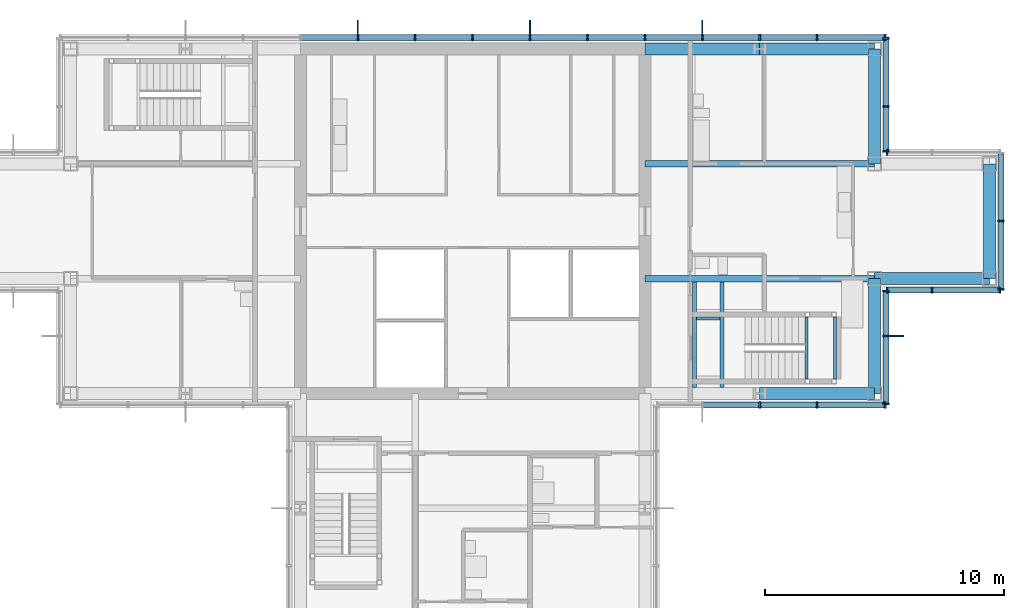
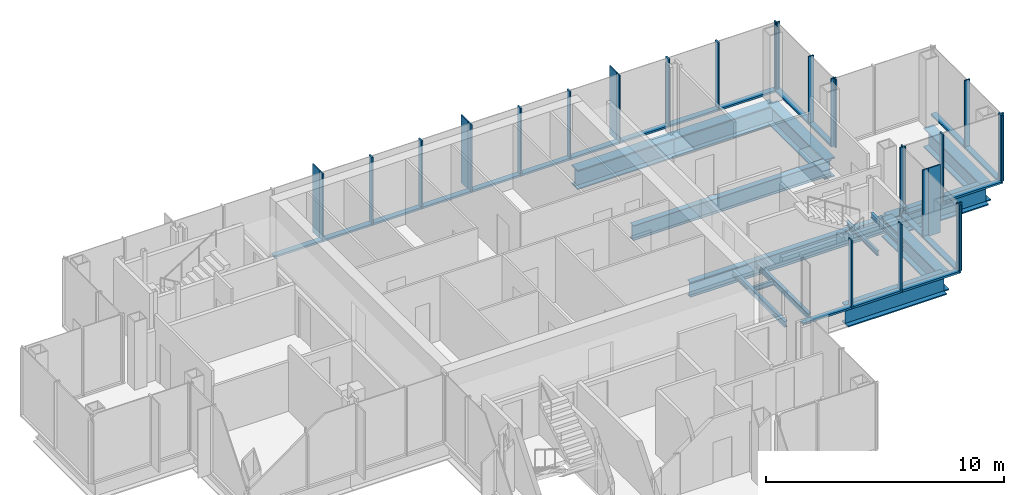
# One storey, part 7 of 15: 50 members, 14 beams, 7 elements without a shape of their own.
"""IFC4 building model written with IfcOpenShell, lengths in metres."""

import ifcopenshell
import ifcopenshell.guid

model = None  # the IFC model being written
_history = None  # IfcOwnerHistory: only IFC2X3 demands one
_inside = {}  # id of a spatial element -> (the spatial element, [elements in it])
_under = {}  # id of a project, library or spatial element -> (it, [spatial elements below it])
_declared = {}  # id of a project -> (the project, [libraries it declares])
_typed = {}  # id of a type object -> (the type object, [elements of that type])
_made_of = {}  # id of a material, layer set ... -> (it, [elements and type objects made of it])


def new_model(schema):
    """Start an empty IFC model of exactly this schema.

    Asked for "IFC4X3", IfcOpenShell would pick the latest addendum, in which some entities
    have other attributes; the version numbers below select the first issue.
    IFC2X3 requires an IfcOwnerHistory on every rooted entity: one is made here for all.
    """
    global model, _history
    if schema == "IFC4X3":
        model = ifcopenshell.file(schema_version=(4, 3, 0, 0))
    else:
        model = ifcopenshell.file(schema=schema)
    _inside.clear()
    _under.clear()
    _declared.clear()
    _typed.clear()
    _made_of.clear()
    _history = None
    if model.schema == "IFC2X3":
        org = make("IfcOrganization", Name="unknown")
        user = make(
            "IfcPersonAndOrganization",
            ThePerson=make("IfcPerson", FamilyName="unknown"),
            TheOrganization=org,
        )
        app = make(
            "IfcApplication",
            ApplicationDeveloper=org,
            Version="unknown",
            ApplicationFullName="unknown",
            ApplicationIdentifier="unknown",
        )
        _history = make(
            "IfcOwnerHistory",
            OwningUser=user,
            OwningApplication=app,
            ChangeAction="ADDED",
            CreationDate=0,
        )
    return model


def make(cls, **values):
    """One entity of the class cls with the attributes given. An attribute that is None is left unset."""
    return model.create_entity(
        cls, **{name: value for name, value in values.items() if value is not None}
    )


def rooted(cls, **values):
    """An entity with a GlobalId (a new one), such as an element, a storey or a relation."""
    return make(cls, GlobalId=ifcopenshell.guid.new(), OwnerHistory=_history, **values)


def si_unit(unit_type, name, prefix=None):
    """IfcSIUnit, for example si_unit("LENGTHUNIT", "METRE", prefix="MILLI")."""
    return make("IfcSIUnit", UnitType=unit_type, Prefix=prefix, Name=name)


def assignment(units):
    """IfcUnitAssignment: the units of a project."""
    return None if units is None else make("IfcUnitAssignment", Units=units)


def point(xyz):
    """IfcCartesianPoint."""
    return None if xyz is None else make("IfcCartesianPoint", Coordinates=xyz)


def direction(xyz):
    """IfcDirection."""
    return None if xyz is None else make("IfcDirection", DirectionRatios=xyz)


def frame(location, z_axis=None, x_axis=None):
    """IfcAxis2Placement3D, a coordinate frame: its origin and axes. An axis left out is left unset."""
    return make(
        "IfcAxis2Placement3D",
        Location=point(location),
        Axis=direction(z_axis),
        RefDirection=direction(x_axis),
    )


def frame_2d(location, x_axis=None):
    """IfcAxis2Placement2D, a coordinate frame in the plane: its origin and x axis."""
    return make(
        "IfcAxis2Placement2D", Location=point(location), RefDirection=direction(x_axis)
    )


def origin():
    """The frame at (0, 0, 0) with its axes left unset."""
    return frame((0.0, 0.0, 0.0))


def origin_2d():
    """The frame at (0, 0) in the plane with its x axis left unset."""
    return frame_2d((0.0, 0.0))


def place(relative_to, where):
    """IfcLocalPlacement: puts the frame where relative to a parent placement (None: the world)."""
    return make(
        "IfcLocalPlacement", PlacementRelTo=relative_to, RelativePlacement=where
    )


def context(
    kind, dimensions, precision=None, world=None, true_north=None, identifier=None
):
    """IfcGeometricRepresentationContext, for example the 3D "Model" context."""
    return make(
        "IfcGeometricRepresentationContext",
        ContextIdentifier=identifier,
        ContextType=kind,
        CoordinateSpaceDimension=dimensions,
        Precision=precision,
        WorldCoordinateSystem=world,
        TrueNorth=true_north,
    )


def subcontext(parent, identifier, kind, view, scale=None):
    """IfcGeometricRepresentationSubContext, for example "Body" below "Model"."""
    return make(
        "IfcGeometricRepresentationSubContext",
        ContextIdentifier=identifier,
        ContextType=kind,
        ParentContext=parent,
        TargetScale=scale,
        TargetView=view,
    )


def project(units=None, contexts=None):
    """IfcProject with its units and contexts."""
    return rooted(
        "IfcProject",
        Name="project",
        RepresentationContexts=contexts,
        UnitsInContext=assignment(units),
    )


def spatial(cls, under=None, at=None, **own):
    """A site, building, storey or space (cls), placed at a placement, below another one or the project."""
    s = rooted(cls, ObjectPlacement=at, **own)
    if under is not None:
        _under.setdefault(under.id(), (under, []))[1].append(s)
    return s


def profile(cls, at=None, kind="AREA", **sizes):
    """A parametric profile (cls). Its sizes go by their IFC names, for example OverallWidth=200.0."""
    return make(cls, ProfileType=kind, Position=at, **sizes)


def rectangle(**sizes):
    """IfcRectangleProfileDef."""
    return profile("IfcRectangleProfileDef", **sizes)


def i_section(**sizes):
    """IfcIShapeProfileDef."""
    return profile("IfcIShapeProfileDef", **sizes)


def extrude(swept, where, along, depth):
    """IfcExtrudedAreaSolid: the profile swept, set in the frame where, extruded along a direction by depth."""
    return make(
        "IfcExtrudedAreaSolid",
        SweptArea=swept,
        Position=where,
        ExtrudedDirection=direction(along),
        Depth=depth,
    )


def shape(context_of_items, identifier, shape_type, items):
    """IfcShapeRepresentation: the items that make up one representation, for example the "Body"."""
    return make(
        "IfcShapeRepresentation",
        ContextOfItems=context_of_items,
        RepresentationIdentifier=identifier,
        RepresentationType=shape_type,
        Items=items,
    )


def material(Name=None, Category=None):
    """IfcMaterial."""
    return make("IfcMaterial", Name=Name, Category=Category)


def material_profile(
    of_material, cross_section, Name=None, Category=None, Priority=None
):
    """IfcMaterialProfile: a cross section and its material."""
    return make(
        "IfcMaterialProfile",
        Name=Name,
        Material=of_material,
        Profile=cross_section,
        Priority=Priority,
        Category=Category,
    )


def profile_set(profiles, Name=None, composite=None):
    """IfcMaterialProfileSet."""
    return make(
        "IfcMaterialProfileSet",
        Name=Name,
        MaterialProfiles=profiles,
        CompositeProfile=composite,
    )


def made_of(thing, what):
    """Note that an element or type object is made of a material, layer set ...; save() writes the relation."""
    if what is not None:
        _made_of.setdefault(what.id(), (what, []))[1].append(thing)
    return thing


def type_object(cls, material=None, **own):
    """A type object (cls), such as IfcWallType, which elements share."""
    return made_of(rooted(cls, **own), material)


def element(
    cls,
    number,
    at=None,
    inside=None,
    cuts=None,
    type_object=None,
    material=None,
    context=None,
    identifier="Body",
    shape_type=None,
    held_by="IfcProductDefinitionShape",
    body=None,
    shapes=None,
    **own,
):
    """One element of the class cls, such as IfcWall. Its Tag is "e" and its number.

    at: its placement. inside: the storey or other place that contains it. cuts: it is an
    opening in that element (IfcRelVoidsElement). A single representation is given by context,
    identifier, shape_type and body (its items); several are given by shapes. held_by: the class
    of the entity that holds the representations. save() writes the other relations.
    """
    e = rooted(cls, Tag="e%d" % number, ObjectPlacement=at, **own)
    if body is not None:
        shapes = [shape(context, identifier, shape_type, body)]
    if shapes is not None:
        e.Representation = make(held_by, Representations=shapes)
    if inside is not None:
        _inside.setdefault(inside.id(), (inside, []))[1].append(e)
    if cuts is not None:
        rooted(
            "IfcRelVoidsElement", RelatingBuildingElement=cuts, RelatedOpeningElement=e
        )
    if type_object is not None:
        _typed.setdefault(type_object.id(), (type_object, []))[1].append(e)
    return made_of(e, material)


def aggregate(whole, parts):
    """IfcRelAggregates: a whole, such as a stair, and the parts it consists of."""
    return rooted("IfcRelAggregates", RelatingObject=whole, RelatedObjects=parts)


def save(model, path):
    """Write the relations noted so far, then the file.

    IfcRelAggregates (storeys below a building ...), IfcRelContainedInSpatialStructure (elements
    in a storey), IfcRelDefinesByType, IfcRelAssociatesMaterial and IfcRelDeclares: one each for
    every whole, place, type object, material and project.
    """
    for whole, parts in _under.values():
        aggregate(whole, parts)
    for where, things in _inside.values():
        rooted(
            "IfcRelContainedInSpatialStructure",
            RelatedElements=things,
            RelatingStructure=where,
        )
    for kind, things in _typed.values():
        rooted("IfcRelDefinesByType", RelatedObjects=things, RelatingType=kind)
    for what, things in _made_of.values():
        rooted("IfcRelAssociatesMaterial", RelatedObjects=things, RelatingMaterial=what)
    for by, libraries in _declared.values():
        rooted("IfcRelDeclares", RelatingContext=by, RelatedDefinitions=libraries)
    model.write(path)


model = new_model("IFC4")

# Units and contexts
model_context = context("Model", 3, precision=1e-05, world=origin(), true_north=direction((0.0, 1.0)))
body_context = subcontext(model_context, "Body", "Model", "MODEL_VIEW")
ifc_project = project(units=[si_unit("LENGTHUNIT", "METRE"), si_unit("AREAUNIT", "SQUARE_METRE"), si_unit("VOLUMEUNIT", "CUBIC_METRE"), si_unit("PLANEANGLEUNIT", "RADIAN"), si_unit("MASSUNIT", "GRAM", prefix="KILO")], contexts=[model_context])

# Site, building, storey
site_placement = place(None, origin())
site = spatial("IfcSite", under=ifc_project, at=site_placement, CompositionType="ELEMENT")
building_placement = place(site_placement, origin())
building = spatial("IfcBuilding", under=site, at=building_placement, Name="Kvirike Care Tower", CompositionType="ELEMENT")
storey_placement = place(building_placement, frame((0.0, 0.0, 236.5)))
storey = spatial("IfcBuildingStorey", under=building, at=storey_placement, Name="L65", CompositionType="ELEMENT", Elevation=236.5)

# Curtain wall, member
ifc_material_1 = material(Name="Anodised aluminium stick system", Category="aluminium")
curtain_wall_type = type_object("IfcCurtainWallType", Name="CW-D STICK CURTAIN WALL", PredefinedType="NOTDEFINED", material=ifc_material_1)
curtain_wall_1_placement = place(storey_placement, origin())
curtain_wall_1 = element("IfcCurtainWall", 1, at=curtain_wall_1_placement, inside=storey, type_object=curtain_wall_type, Name="Curtain wall L65 face 2", PredefinedType="NOTDEFINED")
ifc_material_2 = material(Name="Bronze anodised aluminium fin", Category="aluminium")
ifc_material_profile_1 = material_profile(ifc_material_2, rectangle(XDim=0.050048828125, YDim=0.60009765625, at=origin_2d()), Name="BRONZE FIN 600")
ifc_profile_set_1 = profile_set([ifc_material_profile_1], Name="Bronze anodised aluminium fin")
member_type_1 = type_object("IfcMemberType", Name="BRONZE FIN 600", PredefinedType="USERDEFINED", material=ifc_profile_set_1)
member_1_placement = place(storey_placement, frame((39.31005859375, 31.199951171875, 0.0), z_axis=(0.0, 0.0, 1.0), x_axis=(0.0, 1.0, 0.0)))
member_1 = element("IfcMember", 2, at=member_1_placement, type_object=member_type_1, Name="Bronze fin L65 face 2.2", ObjectType="FIN", PredefinedType="USERDEFINED", context=body_context, shape_type="SweptSolid", body=[
    extrude(rectangle(XDim=0.050048828125, YDim=0.60009765625, at=origin_2d()), origin(), (0.0, 0.0, 1.0), 3.5),
])

# Curtain wall, members
curtain_wall_2_placement = place(storey_placement, origin())
curtain_wall_2 = element("IfcCurtainWall", 3, at=curtain_wall_2_placement, inside=storey, type_object=curtain_wall_type, Name="Curtain wall L65 face 7", PredefinedType="NOTDEFINED")
member_2_placement = place(storey_placement, frame((31.199951171875, 44.110107421875, 0.0), z_axis=(0.0, 0.0, 1.0), x_axis=(-1.0, 0.0, 0.0)))
member_2 = element("IfcMember", 4, at=member_2_placement, type_object=member_type_1, Name="Bronze fin L65 face 7.4", ObjectType="FIN", PredefinedType="USERDEFINED", context=body_context, shape_type="SweptSolid", body=[
    extrude(rectangle(XDim=0.050048828125, YDim=0.60009765625, at=origin_2d()), origin(), (0.0, 0.0, 1.0), 3.5),
])
member_3_placement = place(storey_placement, frame((24.0, 44.110107421875, 0.0), z_axis=(0.0, 0.0, 1.0), x_axis=(-1.0, 0.0, 0.0)))
member_3 = element("IfcMember", 5, at=member_3_placement, type_object=member_type_1, Name="Bronze fin L65 face 7.7", ObjectType="FIN", PredefinedType="USERDEFINED", context=body_context, shape_type="SweptSolid", body=[
    extrude(rectangle(XDim=0.050048828125, YDim=0.60009765625, at=origin_2d()), origin(), (0.0, 0.0, 1.0), 3.5),
])
member_4_placement = place(storey_placement, frame((16.800048828125, 44.110107421875, 0.0), z_axis=(0.0, 0.0, 1.0), x_axis=(-1.0, 0.0, 0.0)))
member_4 = element("IfcMember", 6, at=member_4_placement, type_object=member_type_1, Name="Bronze fin L65 face 7.10", ObjectType="FIN", PredefinedType="USERDEFINED", context=body_context, shape_type="SweptSolid", body=[
    extrude(rectangle(XDim=0.050048828125, YDim=0.60009765625, at=origin_2d()), origin(), (0.0, 0.0, 1.0), 3.5),
])

curtain_wall_3_placement = place(storey_placement, origin())
curtain_wall_3 = element("IfcCurtainWall", 7, at=curtain_wall_3_placement, inside=storey, type_object=curtain_wall_type, Name="Curtain wall L65 face 1", PredefinedType="NOTDEFINED")
ifc_material_3 = material(Name="Bronze anodised aluminium mullion", Category="aluminium")
ifc_material_profile_2 = material_profile(ifc_material_3, rectangle(XDim=0.06494140625, YDim=0.260009765625, at=origin_2d()), Name="CW-D MULLION 65x260")
ifc_profile_set_2 = profile_set([ifc_material_profile_2], Name="Bronze anodised aluminium mullion")
member_type_2 = type_object("IfcMemberType", Name="CW-D MULLION 65x260", PredefinedType="MULLION", material=ifc_profile_set_2)
member_5_placement = place(storey_placement, frame((33.60009765625, 28.320068359375, 0.0), z_axis=(0.0, 0.0, 1.0), x_axis=(1.0, 0.0, 0.0)))
member_5 = element("IfcMember", 8, at=member_5_placement, type_object=member_type_2, Name="CW-D mullion L65 face 1.3", PredefinedType="MULLION", context=body_context, shape_type="SweptSolid", body=[
    extrude(rectangle(XDim=0.06494140625, YDim=0.260009765625, at=origin_2d()), origin(), (0.0, 0.0, 1.0), 3.5),
])
member_6_placement = place(storey_placement, frame((36.0, 28.320068359375, 0.0), z_axis=(0.0, 0.0, 1.0), x_axis=(1.0, 0.0, 0.0)))
member_6 = element("IfcMember", 9, at=member_6_placement, type_object=member_type_2, Name="CW-D mullion L65 face 1.4", PredefinedType="MULLION", context=body_context, shape_type="SweptSolid", body=[
    extrude(rectangle(XDim=0.06494140625, YDim=0.260009765625, at=origin_2d()), origin(), (0.0, 0.0, 1.0), 3.5),
])
member_7_placement = place(storey_placement, frame((38.847412109375, 28.320068359375, 0.0), z_axis=(0.0, 0.0, 1.0), x_axis=(1.0, 0.0, 0.0)))
member_7 = element("IfcMember", 10, at=member_7_placement, type_object=member_type_2, Name="CW-D mullion L65 face 1.5", PredefinedType="MULLION", context=body_context, shape_type="SweptSolid", body=[
    extrude(rectangle(XDim=0.06494140625, YDim=0.260009765625, at=origin_2d()), origin(), (0.0, 0.0, 1.0), 3.5),
])

# Member
member_8_placement = place(storey_placement, frame((38.8798828125, 28.3525390625, 0.0), z_axis=(0.0, 0.0, 1.0), x_axis=(0.0, 1.0, 0.0)))
member_8 = element("IfcMember", 11, at=member_8_placement, type_object=member_type_2, Name="CW-D mullion L65 face 2.1", PredefinedType="MULLION", context=body_context, shape_type="SweptSolid", body=[
    extrude(rectangle(XDim=0.06494140625, YDim=0.260009765625, at=origin_2d()), origin(), (0.0, 0.0, 1.0), 3.5),
])

member_9_placement = place(storey_placement, frame((38.8798828125, 31.199951171875, 0.0), z_axis=(0.0, 0.0, 1.0), x_axis=(0.0, 1.0, 0.0)))
member_9 = element("IfcMember", 12, at=member_9_placement, type_object=member_type_2, Name="CW-D mullion L65 face 2.2", PredefinedType="MULLION", context=body_context, shape_type="SweptSolid", body=[
    extrude(rectangle(XDim=0.06494140625, YDim=0.260009765625, at=origin_2d()), origin(), (0.0, 0.0, 1.0), 3.5),
])

member_10_placement = place(storey_placement, frame((38.8798828125, 33.08740234375, 0.0), z_axis=(0.0, 0.0, 1.0), x_axis=(0.0, 1.0, 0.0)))
member_10 = element("IfcMember", 13, at=member_10_placement, type_object=member_type_2, Name="CW-D mullion L65 face 2.3", PredefinedType="MULLION", context=body_context, shape_type="SweptSolid", body=[
    extrude(rectangle(XDim=0.06494140625, YDim=0.260009765625, at=origin_2d()), origin(), (0.0, 0.0, 1.0), 3.5),
])

# Curtain wall, members
curtain_wall_4_placement = place(storey_placement, origin())
curtain_wall_4 = element("IfcCurtainWall", 14, at=curtain_wall_4_placement, inside=storey, type_object=curtain_wall_type, Name="Curtain wall L65 face 3", PredefinedType="NOTDEFINED")
member_11_placement = place(storey_placement, frame((38.91259765625, 33.1201171875, 0.0), z_axis=(0.0, 0.0, 1.0), x_axis=(1.0, 0.0, 0.0)))
member_11 = element("IfcMember", 15, at=member_11_placement, type_object=member_type_2, Name="CW-D mullion L65 face 3.1", PredefinedType="MULLION", context=body_context, shape_type="SweptSolid", body=[
    extrude(rectangle(XDim=0.06494140625, YDim=0.260009765625, at=origin_2d()), origin(), (0.0, 0.0, 1.0), 3.5),
])
member_12_placement = place(storey_placement, frame((40.800048828125, 33.1201171875, 0.0), z_axis=(0.0, 0.0, 1.0), x_axis=(1.0, 0.0, 0.0)))
member_12 = element("IfcMember", 16, at=member_12_placement, type_object=member_type_2, Name="CW-D mullion L65 face 3.2", PredefinedType="MULLION", context=body_context, shape_type="SweptSolid", body=[
    extrude(rectangle(XDim=0.06494140625, YDim=0.260009765625, at=origin_2d()), origin(), (0.0, 0.0, 1.0), 3.5),
])
member_13_placement = place(storey_placement, frame((43.6474609375, 33.1201171875, 0.0), z_axis=(0.0, 0.0, 1.0), x_axis=(1.0, 0.0, 0.0)))
member_13 = element("IfcMember", 17, at=member_13_placement, type_object=member_type_2, Name="CW-D mullion L65 face 3.3", PredefinedType="MULLION", context=body_context, shape_type="SweptSolid", body=[
    extrude(rectangle(XDim=0.06494140625, YDim=0.260009765625, at=origin_2d()), origin(), (0.0, 0.0, 1.0), 3.5),
])

curtain_wall_5_placement = place(storey_placement, origin())
curtain_wall_5 = element("IfcCurtainWall", 18, at=curtain_wall_5_placement, inside=storey, type_object=curtain_wall_type, Name="Curtain wall L65 face 4", PredefinedType="NOTDEFINED")
member_14_placement = place(storey_placement, frame((43.679931640625, 33.152587890625, 0.0), z_axis=(0.0, 0.0, 1.0), x_axis=(0.0, 1.0, 0.0)))
member_14 = element("IfcMember", 19, at=member_14_placement, type_object=member_type_2, Name="CW-D mullion L65 face 4.1", PredefinedType="MULLION", context=body_context, shape_type="SweptSolid", body=[
    extrude(rectangle(XDim=0.06494140625, YDim=0.260009765625, at=origin_2d()), origin(), (0.0, 0.0, 1.0), 3.5),
])
member_15_placement = place(storey_placement, frame((43.679931640625, 36.0, 0.0), z_axis=(0.0, 0.0, 1.0), x_axis=(0.0, 1.0, 0.0)))
member_15 = element("IfcMember", 20, at=member_15_placement, type_object=member_type_2, Name="CW-D mullion L65 face 4.2", PredefinedType="MULLION", context=body_context, shape_type="SweptSolid", body=[
    extrude(rectangle(XDim=0.06494140625, YDim=0.260009765625, at=origin_2d()), origin(), (0.0, 0.0, 1.0), 3.5),
])

# Curtain wall, member
curtain_wall_6_placement = place(storey_placement, origin())
curtain_wall_6 = element("IfcCurtainWall", 21, at=curtain_wall_6_placement, inside=storey, type_object=curtain_wall_type, Name="Curtain wall L65 face 5", PredefinedType="NOTDEFINED")
member_16_placement = place(storey_placement, frame((38.91259765625, 38.8798828125, 0.0), z_axis=(0.0, 0.0, 1.0), x_axis=(-1.0, 0.0, 0.0)))
member_16 = element("IfcMember", 22, at=member_16_placement, type_object=member_type_2, Name="CW-D mullion L65 face 5.3", PredefinedType="MULLION", context=body_context, shape_type="SweptSolid", body=[
    extrude(rectangle(XDim=0.06494140625, YDim=0.260009765625, at=origin_2d()), origin(), (0.0, 0.0, 1.0), 3.5),
])
aggregate(curtain_wall_6, [member_16])

# Curtain wall, members
curtain_wall_7_placement = place(storey_placement, origin())
curtain_wall_7 = element("IfcCurtainWall", 23, at=curtain_wall_7_placement, inside=storey, type_object=curtain_wall_type, Name="Curtain wall L65 face 6", PredefinedType="NOTDEFINED")
member_17_placement = place(storey_placement, frame((38.8798828125, 38.91259765625, 0.0), z_axis=(0.0, 0.0, 1.0), x_axis=(0.0, 1.0, 0.0)))
member_17 = element("IfcMember", 24, at=member_17_placement, type_object=member_type_2, Name="CW-D mullion L65 face 6.1", PredefinedType="MULLION", context=body_context, shape_type="SweptSolid", body=[
    extrude(rectangle(XDim=0.06494140625, YDim=0.260009765625, at=origin_2d()), origin(), (0.0, 0.0, 1.0), 3.5),
])
member_18_placement = place(storey_placement, frame((38.8798828125, 40.800048828125, 0.0), z_axis=(0.0, 0.0, 1.0), x_axis=(0.0, 1.0, 0.0)))
member_18 = element("IfcMember", 25, at=member_18_placement, type_object=member_type_2, Name="CW-D mullion L65 face 6.2", PredefinedType="MULLION", context=body_context, shape_type="SweptSolid", body=[
    extrude(rectangle(XDim=0.06494140625, YDim=0.260009765625, at=origin_2d()), origin(), (0.0, 0.0, 1.0), 3.5),
])
member_19_placement = place(storey_placement, frame((38.8798828125, 43.6474609375, 0.0), z_axis=(0.0, 0.0, 1.0), x_axis=(0.0, 1.0, 0.0)))
member_19 = element("IfcMember", 26, at=member_19_placement, type_object=member_type_2, Name="CW-D mullion L65 face 6.3", PredefinedType="MULLION", context=body_context, shape_type="SweptSolid", body=[
    extrude(rectangle(XDim=0.06494140625, YDim=0.260009765625, at=origin_2d()), origin(), (0.0, 0.0, 1.0), 3.5),
])

# Member
member_20_placement = place(storey_placement, frame((38.847412109375, 43.679931640625, 0.0), z_axis=(0.0, 0.0, 1.0), x_axis=(-1.0, 0.0, 0.0)))
member_20 = element("IfcMember", 27, at=member_20_placement, type_object=member_type_2, Name="CW-D mullion L65 face 7.1", PredefinedType="MULLION", context=body_context, shape_type="SweptSolid", body=[
    extrude(rectangle(XDim=0.06494140625, YDim=0.260009765625, at=origin_2d()), origin(), (0.0, 0.0, 1.0), 3.5),
])

member_21_placement = place(storey_placement, frame((36.0, 43.679931640625, 0.0), z_axis=(0.0, 0.0, 1.0), x_axis=(-1.0, 0.0, 0.0)))
member_21 = element("IfcMember", 28, at=member_21_placement, type_object=member_type_2, Name="CW-D mullion L65 face 7.2", PredefinedType="MULLION", context=body_context, shape_type="SweptSolid", body=[
    extrude(rectangle(XDim=0.06494140625, YDim=0.260009765625, at=origin_2d()), origin(), (0.0, 0.0, 1.0), 3.5),
])

member_22_placement = place(storey_placement, frame((33.60009765625, 43.679931640625, 0.0), z_axis=(0.0, 0.0, 1.0), x_axis=(-1.0, 0.0, 0.0)))
member_22 = element("IfcMember", 29, at=member_22_placement, type_object=member_type_2, Name="CW-D mullion L65 face 7.3", PredefinedType="MULLION", context=body_context, shape_type="SweptSolid", body=[
    extrude(rectangle(XDim=0.06494140625, YDim=0.260009765625, at=origin_2d()), origin(), (0.0, 0.0, 1.0), 3.5),
])

member_23_placement = place(storey_placement, frame((31.199951171875, 43.679931640625, 0.0), z_axis=(0.0, 0.0, 1.0), x_axis=(-1.0, 0.0, 0.0)))
member_23 = element("IfcMember", 30, at=member_23_placement, type_object=member_type_2, Name="CW-D mullion L65 face 7.4", PredefinedType="MULLION", context=body_context, shape_type="SweptSolid", body=[
    extrude(rectangle(XDim=0.06494140625, YDim=0.260009765625, at=origin_2d()), origin(), (0.0, 0.0, 1.0), 3.5),
])

member_24_placement = place(storey_placement, frame((28.800048828125, 43.679931640625, 0.0), z_axis=(0.0, 0.0, 1.0), x_axis=(-1.0, 0.0, 0.0)))
member_24 = element("IfcMember", 31, at=member_24_placement, type_object=member_type_2, Name="CW-D mullion L65 face 7.5", PredefinedType="MULLION", context=body_context, shape_type="SweptSolid", body=[
    extrude(rectangle(XDim=0.06494140625, YDim=0.260009765625, at=origin_2d()), origin(), (0.0, 0.0, 1.0), 3.5),
])

member_25_placement = place(storey_placement, frame((26.39990234375, 43.679931640625, 0.0), z_axis=(0.0, 0.0, 1.0), x_axis=(-1.0, 0.0, 0.0)))
member_25 = element("IfcMember", 32, at=member_25_placement, type_object=member_type_2, Name="CW-D mullion L65 face 7.6", PredefinedType="MULLION", context=body_context, shape_type="SweptSolid", body=[
    extrude(rectangle(XDim=0.06494140625, YDim=0.260009765625, at=origin_2d()), origin(), (0.0, 0.0, 1.0), 3.5),
])

member_26_placement = place(storey_placement, frame((24.0, 43.679931640625, 0.0), z_axis=(0.0, 0.0, 1.0), x_axis=(-1.0, 0.0, 0.0)))
member_26 = element("IfcMember", 33, at=member_26_placement, type_object=member_type_2, Name="CW-D mullion L65 face 7.7", PredefinedType="MULLION", context=body_context, shape_type="SweptSolid", body=[
    extrude(rectangle(XDim=0.06494140625, YDim=0.260009765625, at=origin_2d()), origin(), (0.0, 0.0, 1.0), 3.5),
])

member_27_placement = place(storey_placement, frame((21.60009765625, 43.679931640625, 0.0), z_axis=(0.0, 0.0, 1.0), x_axis=(-1.0, 0.0, 0.0)))
member_27 = element("IfcMember", 34, at=member_27_placement, type_object=member_type_2, Name="CW-D mullion L65 face 7.8", PredefinedType="MULLION", context=body_context, shape_type="SweptSolid", body=[
    extrude(rectangle(XDim=0.06494140625, YDim=0.260009765625, at=origin_2d()), origin(), (0.0, 0.0, 1.0), 3.5),
])

member_28_placement = place(storey_placement, frame((19.199951171875, 43.679931640625, 0.0), z_axis=(0.0, 0.0, 1.0), x_axis=(-1.0, 0.0, 0.0)))
member_28 = element("IfcMember", 35, at=member_28_placement, type_object=member_type_2, Name="CW-D mullion L65 face 7.9", PredefinedType="MULLION", context=body_context, shape_type="SweptSolid", body=[
    extrude(rectangle(XDim=0.06494140625, YDim=0.260009765625, at=origin_2d()), origin(), (0.0, 0.0, 1.0), 3.5),
])

member_29_placement = place(storey_placement, frame((16.800048828125, 43.679931640625, 0.0), z_axis=(0.0, 0.0, 1.0), x_axis=(-1.0, 0.0, 0.0)))
member_29 = element("IfcMember", 36, at=member_29_placement, type_object=member_type_2, Name="CW-D mullion L65 face 7.10", PredefinedType="MULLION", context=body_context, shape_type="SweptSolid", body=[
    extrude(rectangle(XDim=0.06494140625, YDim=0.260009765625, at=origin_2d()), origin(), (0.0, 0.0, 1.0), 3.5),
])

ifc_material_4 = material(Name="Bronze anodised aluminium transom", Category="aluminium")
ifc_material_profile_3 = material_profile(ifc_material_4, rectangle(XDim=0.260009765625, YDim=0.10009765625, at=origin_2d()), Name="CW-D TRANSOM 260x100")
ifc_profile_set_3 = profile_set([ifc_material_profile_3], Name="Bronze anodised aluminium transom")
member_type_3 = type_object("IfcMemberType", Name="CW-D TRANSOM 260x100", PredefinedType="USERDEFINED", material=ifc_profile_set_3)
member_30_placement = place(storey_placement, frame((31.232421875, 28.320068359375, 0.050048828125), z_axis=(1.0, 0.0, 0.0), x_axis=(0.0, 1.0, 0.0)))
member_30 = element("IfcMember", 37, at=member_30_placement, type_object=member_type_3, Name="CW-D sill transom L65 face 1.2", ObjectType="TRANSOM", PredefinedType="USERDEFINED", context=body_context, shape_type="SweptSolid", body=[
    extrude(rectangle(XDim=0.260009765625, YDim=0.10009765625, at=origin_2d()), origin(), (0.0, 0.0, 1.0), 2.3349609375),
])

member_31_placement = place(storey_placement, frame((33.632568359375, 28.320068359375, 0.050048828125), z_axis=(1.0, 0.0, 0.0), x_axis=(0.0, 1.0, 0.0)))
member_31 = element("IfcMember", 38, at=member_31_placement, type_object=member_type_3, Name="CW-D sill transom L65 face 1.3", ObjectType="TRANSOM", PredefinedType="USERDEFINED", context=body_context, shape_type="SweptSolid", body=[
    extrude(rectangle(XDim=0.260009765625, YDim=0.10009765625, at=origin_2d()), origin(), (0.0, 0.0, 1.0), 2.3349609375),
])

member_32_placement = place(storey_placement, frame((36.032470703125, 28.320068359375, 0.050048828125), z_axis=(1.0, 0.0, 0.0), x_axis=(0.0, 1.0, 0.0)))
member_32 = element("IfcMember", 39, at=member_32_placement, type_object=member_type_3, Name="CW-D sill transom L65 face 1.4", ObjectType="TRANSOM", PredefinedType="USERDEFINED", context=body_context, shape_type="SweptSolid", body=[
    extrude(rectangle(XDim=0.260009765625, YDim=0.10009765625, at=origin_2d()), origin(), (0.0, 0.0, 1.0), 2.782470703125),
])

aggregate(curtain_wall_3, [member_5, member_6, member_7, member_30, member_31, member_32])

member_33_placement = place(storey_placement, frame((38.8798828125, 28.385009765625, 0.050048828125), z_axis=(0.0, 1.0, 0.0), x_axis=(-1.0, 0.0, 0.0)))
member_33 = element("IfcMember", 40, at=member_33_placement, type_object=member_type_3, Name="CW-D sill transom L65 face 2.1", ObjectType="TRANSOM", PredefinedType="USERDEFINED", context=body_context, shape_type="SweptSolid", body=[
    extrude(rectangle(XDim=0.260009765625, YDim=0.10009765625, at=origin_2d()), origin(), (0.0, 0.0, 1.0), 2.782470703125),
])

member_34_placement = place(storey_placement, frame((38.8798828125, 31.232421875, 0.050048828125), z_axis=(0.0, 1.0, 0.0), x_axis=(-1.0, 0.0, 0.0)))
member_34 = element("IfcMember", 41, at=member_34_placement, type_object=member_type_3, Name="CW-D sill transom L65 face 2.2", ObjectType="TRANSOM", PredefinedType="USERDEFINED", context=body_context, shape_type="SweptSolid", body=[
    extrude(rectangle(XDim=0.260009765625, YDim=0.10009765625, at=origin_2d()), origin(), (0.0, 0.0, 1.0), 1.822509765625),
])

aggregate(curtain_wall_1, [member_8, member_9, member_1, member_10, member_33, member_34])

member_35_placement = place(storey_placement, frame((38.945068359375, 33.1201171875, 0.050048828125), z_axis=(1.0, 0.0, 0.0), x_axis=(0.0, 1.0, 0.0)))
member_35 = element("IfcMember", 42, at=member_35_placement, type_object=member_type_3, Name="CW-D sill transom L65 face 3.1", ObjectType="TRANSOM", PredefinedType="USERDEFINED", context=body_context, shape_type="SweptSolid", body=[
    extrude(rectangle(XDim=0.260009765625, YDim=0.10009765625, at=origin_2d()), origin(), (0.0, 0.0, 1.0), 1.822509765625),
])

member_36_placement = place(storey_placement, frame((40.83251953125, 33.1201171875, 0.050048828125), z_axis=(1.0, 0.0, 0.0), x_axis=(0.0, 1.0, 0.0)))
member_36 = element("IfcMember", 43, at=member_36_placement, type_object=member_type_3, Name="CW-D sill transom L65 face 3.2", ObjectType="TRANSOM", PredefinedType="USERDEFINED", context=body_context, shape_type="SweptSolid", body=[
    extrude(rectangle(XDim=0.260009765625, YDim=0.10009765625, at=origin_2d()), origin(), (0.0, 0.0, 1.0), 2.782470703125),
])

aggregate(curtain_wall_4, [member_11, member_12, member_13, member_35, member_36])

member_37_placement = place(storey_placement, frame((43.679931640625, 33.18505859375, 0.050048828125), z_axis=(0.0, 1.0, 0.0), x_axis=(-1.0, 0.0, 0.0)))
member_37 = element("IfcMember", 44, at=member_37_placement, type_object=member_type_3, Name="CW-D sill transom L65 face 4.1", ObjectType="TRANSOM", PredefinedType="USERDEFINED", context=body_context, shape_type="SweptSolid", body=[
    extrude(rectangle(XDim=0.260009765625, YDim=0.10009765625, at=origin_2d()), origin(), (0.0, 0.0, 1.0), 2.782470703125),
])

member_38_placement = place(storey_placement, frame((43.679931640625, 36.032470703125, 0.050048828125), z_axis=(0.0, 1.0, 0.0), x_axis=(-1.0, 0.0, 0.0)))
member_38 = element("IfcMember", 45, at=member_38_placement, type_object=member_type_3, Name="CW-D sill transom L65 face 4.2", ObjectType="TRANSOM", PredefinedType="USERDEFINED", context=body_context, shape_type="SweptSolid", body=[
    extrude(rectangle(XDim=0.260009765625, YDim=0.10009765625, at=origin_2d()), origin(), (0.0, 0.0, 1.0), 2.782470703125),
])

aggregate(curtain_wall_5, [member_14, member_15, member_37, member_38])

member_39_placement = place(storey_placement, frame((38.8798828125, 38.945068359375, 0.050048828125), z_axis=(0.0, 1.0, 0.0), x_axis=(-1.0, 0.0, 0.0)))
member_39 = element("IfcMember", 46, at=member_39_placement, type_object=member_type_3, Name="CW-D sill transom L65 face 6.1", ObjectType="TRANSOM", PredefinedType="USERDEFINED", context=body_context, shape_type="SweptSolid", body=[
    extrude(rectangle(XDim=0.260009765625, YDim=0.10009765625, at=origin_2d()), origin(), (0.0, 0.0, 1.0), 1.822509765625),
])

member_40_placement = place(storey_placement, frame((38.8798828125, 40.83251953125, 0.050048828125), z_axis=(0.0, 1.0, 0.0), x_axis=(-1.0, 0.0, 0.0)))
member_40 = element("IfcMember", 47, at=member_40_placement, type_object=member_type_3, Name="CW-D sill transom L65 face 6.2", ObjectType="TRANSOM", PredefinedType="USERDEFINED", context=body_context, shape_type="SweptSolid", body=[
    extrude(rectangle(XDim=0.260009765625, YDim=0.10009765625, at=origin_2d()), origin(), (0.0, 0.0, 1.0), 2.782470703125),
])

aggregate(curtain_wall_7, [member_17, member_18, member_19, member_39, member_40])

member_41_placement = place(storey_placement, frame((38.81494140625, 43.679931640625, 0.050048828125), z_axis=(-1.0, 0.0, 0.0), x_axis=(0.0, -1.0, 0.0)))
member_41 = element("IfcMember", 48, at=member_41_placement, type_object=member_type_3, Name="CW-D sill transom L65 face 7.1", ObjectType="TRANSOM", PredefinedType="USERDEFINED", context=body_context, shape_type="SweptSolid", body=[
    extrude(rectangle(XDim=0.260009765625, YDim=0.10009765625, at=origin_2d()), origin(), (0.0, 0.0, 1.0), 2.782470703125),
])

member_42_placement = place(storey_placement, frame((35.967529296875, 43.679931640625, 0.050048828125), z_axis=(-1.0, 0.0, 0.0), x_axis=(0.0, -1.0, 0.0)))
member_42 = element("IfcMember", 49, at=member_42_placement, type_object=member_type_3, Name="CW-D sill transom L65 face 7.2", ObjectType="TRANSOM", PredefinedType="USERDEFINED", context=body_context, shape_type="SweptSolid", body=[
    extrude(rectangle(XDim=0.260009765625, YDim=0.10009765625, at=origin_2d()), origin(), (0.0, 0.0, 1.0), 2.3349609375),
])

member_43_placement = place(storey_placement, frame((33.5673828125, 43.679931640625, 0.050048828125), z_axis=(-1.0, 0.0, 0.0), x_axis=(0.0, -1.0, 0.0)))
member_43 = element("IfcMember", 50, at=member_43_placement, type_object=member_type_3, Name="CW-D sill transom L65 face 7.3", ObjectType="TRANSOM", PredefinedType="USERDEFINED", context=body_context, shape_type="SweptSolid", body=[
    extrude(rectangle(XDim=0.260009765625, YDim=0.10009765625, at=origin_2d()), origin(), (0.0, 0.0, 1.0), 2.3349609375),
])

member_44_placement = place(storey_placement, frame((31.16748046875, 43.679931640625, 0.050048828125), z_axis=(-1.0, 0.0, 0.0), x_axis=(0.0, -1.0, 0.0)))
member_44 = element("IfcMember", 51, at=member_44_placement, type_object=member_type_3, Name="CW-D sill transom L65 face 7.4", ObjectType="TRANSOM", PredefinedType="USERDEFINED", context=body_context, shape_type="SweptSolid", body=[
    extrude(rectangle(XDim=0.260009765625, YDim=0.10009765625, at=origin_2d()), origin(), (0.0, 0.0, 1.0), 2.3349609375),
])

member_45_placement = place(storey_placement, frame((28.767578125, 43.679931640625, 0.050048828125), z_axis=(-1.0, 0.0, 0.0), x_axis=(0.0, -1.0, 0.0)))
member_45 = element("IfcMember", 52, at=member_45_placement, type_object=member_type_3, Name="CW-D sill transom L65 face 7.5", ObjectType="TRANSOM", PredefinedType="USERDEFINED", context=body_context, shape_type="SweptSolid", body=[
    extrude(rectangle(XDim=0.260009765625, YDim=0.10009765625, at=origin_2d()), origin(), (0.0, 0.0, 1.0), 2.3349609375),
])

member_46_placement = place(storey_placement, frame((26.367431640625, 43.679931640625, 0.050048828125), z_axis=(-1.0, 0.0, 0.0), x_axis=(0.0, -1.0, 0.0)))
member_46 = element("IfcMember", 53, at=member_46_placement, type_object=member_type_3, Name="CW-D sill transom L65 face 7.6", ObjectType="TRANSOM", PredefinedType="USERDEFINED", context=body_context, shape_type="SweptSolid", body=[
    extrude(rectangle(XDim=0.260009765625, YDim=0.10009765625, at=origin_2d()), origin(), (0.0, 0.0, 1.0), 2.3349609375),
])

member_47_placement = place(storey_placement, frame((23.967529296875, 43.679931640625, 0.050048828125), z_axis=(-1.0, 0.0, 0.0), x_axis=(0.0, -1.0, 0.0)))
member_47 = element("IfcMember", 54, at=member_47_placement, type_object=member_type_3, Name="CW-D sill transom L65 face 7.7", ObjectType="TRANSOM", PredefinedType="USERDEFINED", context=body_context, shape_type="SweptSolid", body=[
    extrude(rectangle(XDim=0.260009765625, YDim=0.10009765625, at=origin_2d()), origin(), (0.0, 0.0, 1.0), 2.3349609375),
])

member_48_placement = place(storey_placement, frame((21.5673828125, 43.679931640625, 0.050048828125), z_axis=(-1.0, 0.0, 0.0), x_axis=(0.0, -1.0, 0.0)))
member_48 = element("IfcMember", 55, at=member_48_placement, type_object=member_type_3, Name="CW-D sill transom L65 face 7.8", ObjectType="TRANSOM", PredefinedType="USERDEFINED", context=body_context, shape_type="SweptSolid", body=[
    extrude(rectangle(XDim=0.260009765625, YDim=0.10009765625, at=origin_2d()), origin(), (0.0, 0.0, 1.0), 2.3349609375),
])

member_49_placement = place(storey_placement, frame((19.16748046875, 43.679931640625, 0.050048828125), z_axis=(-1.0, 0.0, 0.0), x_axis=(0.0, -1.0, 0.0)))
member_49 = element("IfcMember", 56, at=member_49_placement, type_object=member_type_3, Name="CW-D sill transom L65 face 7.9", ObjectType="TRANSOM", PredefinedType="USERDEFINED", context=body_context, shape_type="SweptSolid", body=[
    extrude(rectangle(XDim=0.260009765625, YDim=0.10009765625, at=origin_2d()), origin(), (0.0, 0.0, 1.0), 2.3349609375),
])

member_50_placement = place(storey_placement, frame((16.767578125, 43.679931640625, 0.050048828125), z_axis=(-1.0, 0.0, 0.0), x_axis=(0.0, -1.0, 0.0)))
member_50 = element("IfcMember", 57, at=member_50_placement, type_object=member_type_3, Name="CW-D sill transom L65 face 7.10", ObjectType="TRANSOM", PredefinedType="USERDEFINED", context=body_context, shape_type="SweptSolid", body=[
    extrude(rectangle(XDim=0.260009765625, YDim=0.10009765625, at=origin_2d()), origin(), (0.0, 0.0, 1.0), 2.3349609375),
])

aggregate(curtain_wall_2, [member_20, member_21, member_22, member_23, member_2, member_24, member_25, member_26, member_3, member_27, member_28, member_29, member_4, member_41, member_42, member_43, member_44, member_45, member_46, member_47, member_48, member_49, member_50])

# Beams
ifc_material_5 = material(Name="Steel S355", Category="steel")
ifc_material_profile_4 = material_profile(ifc_material_5, i_section(OverallWidth=0.26806640625, OverallDepth=0.77001953125, WebThickness=0.015625, FlangeThickness=0.025390625, FilletRadius=0.01708984375, at=origin_2d()), Name="IPE 750x196")
ifc_profile_set_4 = profile_set([ifc_material_profile_4], Name="Steel S355")
beam_type_1 = type_object("IfcBeamType", Name="FLOOR BEAM IPE 750x196", PredefinedType="BEAM", material=ifc_profile_set_4)
for number, where, z_axis, x_axis, name in (
    (58, (28.800048828125, 33.60009765625, -0.554931640625), (1.0, 0.0, 0.0), (0.0, 1.0, 0.0), "Floor Beam H9-H11 L65"),
    (59, (28.800048828125, 38.39990234375, -0.554931640625), (1.0, 0.0, 0.0), (0.0, 1.0, 0.0), "Floor Beam J9-J11 L65"),
):
    element("IfcBeam", number, at=place(storey_placement, frame(where, z_axis=z_axis, x_axis=x_axis)), inside=storey, type_object=beam_type_1, Name=name, PredefinedType="BEAM", context=body_context, shape_type="SweptSolid", body=[
        extrude(i_section(OverallWidth=0.26806640625, OverallDepth=0.77001953125, WebThickness=0.015625, FlangeThickness=0.025390625, FilletRadius=0.01708984375, at=origin_2d()), origin(), (0.0, 0.0, 1.0), 9.599853515625),
    ])
ifc_material_6 = material(Name="Steel S355", Category="steel")
ifc_material_profile_5 = material_profile(ifc_material_6, i_section(OverallWidth=0.5, OverallDepth=1.0, WebThickness=0.030029296875, FlangeThickness=0.06005859375, at=origin_2d()), Name="PG 1000x500x30x60")
ifc_profile_set_5 = profile_set([ifc_material_profile_5], Name="Steel S355")
beam_type_2 = type_object("IfcBeamType", Name="SPANDREL PG 1000x500x30x60", PredefinedType="SPANDREL", material=ifc_profile_set_5)
beam_1_placement = place(storey_placement, frame((33.60009765625, 28.800048828125, -0.669921875), z_axis=(1.0, 0.0, 0.0), x_axis=(0.0, 1.0, 0.0)))
element("IfcBeam", 60, at=beam_1_placement, inside=storey, type_object=beam_type_2, Name="Spandrel G10-G11 L65", PredefinedType="SPANDREL", context=body_context, shape_type="SweptSolid", body=[
    extrude(i_section(OverallWidth=0.5, OverallDepth=1.0, WebThickness=0.030029296875, FlangeThickness=0.06005859375, at=origin_2d()), origin(), (0.0, 0.0, 1.0), 4.7998046875),
])
for number, where, z_axis, x_axis, name in (
    (61, (38.39990234375, 33.60009765625, -0.669921875), (1.0, 0.0, 0.0), (0.0, 1.0, 0.0), "Spandrel H11-H12 L65"),
    (62, (28.800048828125, 43.199951171875, -0.669921875), (1.0, 0.0, 0.0), (0.0, 1.0, 0.0), "Spandrel K9-K10 L65"),
):
    element("IfcBeam", number, at=place(storey_placement, frame(where, z_axis=z_axis, x_axis=x_axis)), inside=storey, type_object=beam_type_2, Name=name, PredefinedType="SPANDREL", context=body_context, shape_type="SweptSolid", body=[
        extrude(i_section(OverallWidth=0.5, OverallDepth=1.0, WebThickness=0.030029296875, FlangeThickness=0.06005859375, at=origin_2d()), origin(), (0.0, 0.0, 1.0), 4.800048828125),
    ])
beam_2_placement = place(storey_placement, frame((33.60009765625, 43.199951171875, -0.669921875), z_axis=(1.0, 0.0, 0.0), x_axis=(0.0, 1.0, 0.0)))
element("IfcBeam", 63, at=beam_2_placement, inside=storey, type_object=beam_type_2, Name="Spandrel K10-K11 L65", PredefinedType="SPANDREL", context=body_context, shape_type="SweptSolid", body=[
    extrude(i_section(OverallWidth=0.5, OverallDepth=1.0, WebThickness=0.030029296875, FlangeThickness=0.06005859375, at=origin_2d()), origin(), (0.0, 0.0, 1.0), 4.7998046875),
])
for number, where, z_axis, x_axis, name in (
    (64, (38.39990234375, 28.800048828125, -0.669921875), (0.0, 1.0, 0.0), (-1.0, 0.0, 0.0), "Spandrel G11-H11 L65"),
    (65, (38.39990234375, 38.39990234375, -0.669921875), (0.0, 1.0, 0.0), (-1.0, 0.0, 0.0), "Spandrel J11-K11 L65"),
):
    element("IfcBeam", number, at=place(storey_placement, frame(where, z_axis=z_axis, x_axis=x_axis)), inside=storey, type_object=beam_type_2, Name=name, PredefinedType="SPANDREL", context=body_context, shape_type="SweptSolid", body=[
        extrude(i_section(OverallWidth=0.5, OverallDepth=1.0, WebThickness=0.030029296875, FlangeThickness=0.06005859375, at=origin_2d()), origin(), (0.0, 0.0, 1.0), 4.800048828125),
    ])
beam_3_placement = place(storey_placement, frame((43.199951171875, 33.60009765625, -0.669921875), z_axis=(0.0, 1.0, 0.0), x_axis=(-1.0, 0.0, 0.0)))
element("IfcBeam", 66, at=beam_3_placement, inside=storey, type_object=beam_type_2, Name="Spandrel H12-J12 L65", PredefinedType="SPANDREL", context=body_context, shape_type="SweptSolid", body=[
    extrude(i_section(OverallWidth=0.5, OverallDepth=1.0, WebThickness=0.030029296875, FlangeThickness=0.06005859375, at=origin_2d()), origin(), (0.0, 0.0, 1.0), 4.7998046875),
])
ifc_material_7 = material(Name="Steel S355", Category="steel")
ifc_material_profile_6 = material_profile(ifc_material_7, i_section(OverallWidth=0.1201171875, OverallDepth=0.239990234375, WebThickness=0.006103515625, FlangeThickness=0.009765625, FilletRadius=0.014892578125, at=origin_2d()), Name="IPE 240")
ifc_profile_set_6 = profile_set([ifc_material_profile_6], Name="Steel S355")
beam_type_3 = type_object("IfcBeamType", Name="STAIR LANDING BEAM IPE 240", PredefinedType="BEAM", material=ifc_profile_set_6)
for number, where, z_axis, x_axis, name in (
    (67, (36.739990234375, 29.39990234375, 1.429931640625), (0.0, 1.0, 0.0), (-1.0, 0.0, 0.0), "Stair 2 landing beam back L65"),
    (68, (35.56005859375, 29.39990234375, 1.429931640625), (0.0, 1.0, 0.0), (-1.0, 0.0, 0.0), "Stair 2 landing beam front L65"),
):
    element("IfcBeam", number, at=place(storey_placement, frame(where, z_axis=z_axis, x_axis=x_axis)), inside=storey, type_object=beam_type_3, Name=name, PredefinedType="BEAM", context=body_context, shape_type="SweptSolid", body=[
        extrude(i_section(OverallWidth=0.1201171875, OverallDepth=0.239990234375, WebThickness=0.006103515625, FlangeThickness=0.009765625, FilletRadius=0.014892578125, at=origin_2d()), origin(), (0.0, 0.0, 1.0), 2.60009765625),
    ])
beam_4_placement = place(storey_placement, frame((31.949951171875, 31.93994140625, -0.320068359375), z_axis=(-1.0, 0.0, 0.0), x_axis=(0.0, -1.0, 0.0)))
element("IfcBeam", 69, at=beam_4_placement, inside=storey, type_object=beam_type_3, Name="Stair 2 landing edge beam 2 L65", PredefinedType="BEAM", context=body_context, shape_type="SweptSolid", body=[
    extrude(i_section(OverallWidth=0.1201171875, OverallDepth=0.239990234375, WebThickness=0.006103515625, FlangeThickness=0.009765625, FilletRadius=0.014892578125, at=origin_2d()), origin(), (0.0, 0.0, 1.0), 1.0),
])
ifc_material_8 = material(Name="Steel S355", Category="steel")
ifc_material_profile_7 = material_profile(ifc_material_8, i_section(OverallWidth=0.14990234375, OverallDepth=0.300048828125, WebThickness=0.007080078125, FlangeThickness=0.0107421875, FilletRadius=0.014892578125, at=origin_2d()), Name="IPE 300")
ifc_profile_set_7 = profile_set([ifc_material_profile_7], Name="Steel S355")
beam_type_4 = type_object("IfcBeamType", Name="STAIR TRIMMER IPE 300", PredefinedType="BEAM", material=ifc_profile_set_7)
for number, where, z_axis, x_axis, name in (
    (70, (32.02490234375, 29.050048828125, -0.35009765625), (0.0, 1.0, 0.0), (-1.0, 0.0, 0.0), "Stair 2 trimmer 1 L65"),
    (71, (30.875, 29.050048828125, -0.35009765625), (0.0, 1.0, 0.0), (-1.0, 0.0, 0.0), "Stair 2 trimmer 2 L65"),
):
    element("IfcBeam", number, at=place(storey_placement, frame(where, z_axis=z_axis, x_axis=x_axis)), inside=storey, type_object=beam_type_4, Name=name, PredefinedType="BEAM", context=body_context, shape_type="SweptSolid", body=[
        extrude(i_section(OverallWidth=0.14990234375, OverallDepth=0.300048828125, WebThickness=0.007080078125, FlangeThickness=0.0107421875, FilletRadius=0.014892578125, at=origin_2d()), origin(), (0.0, 0.0, 1.0), 4.416015625),
    ])

save(model, "model.ifc")
